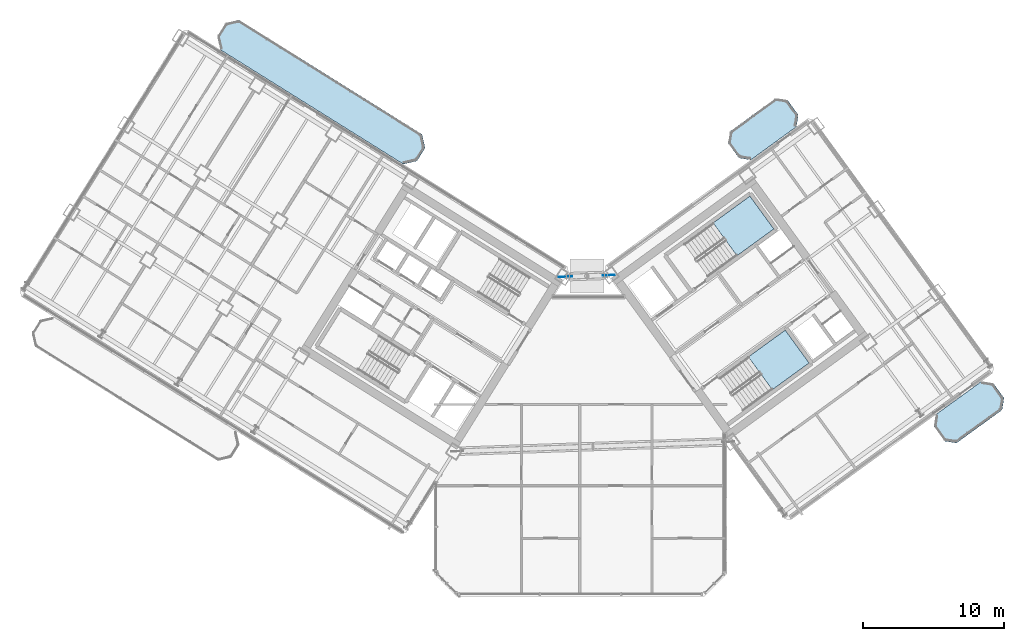
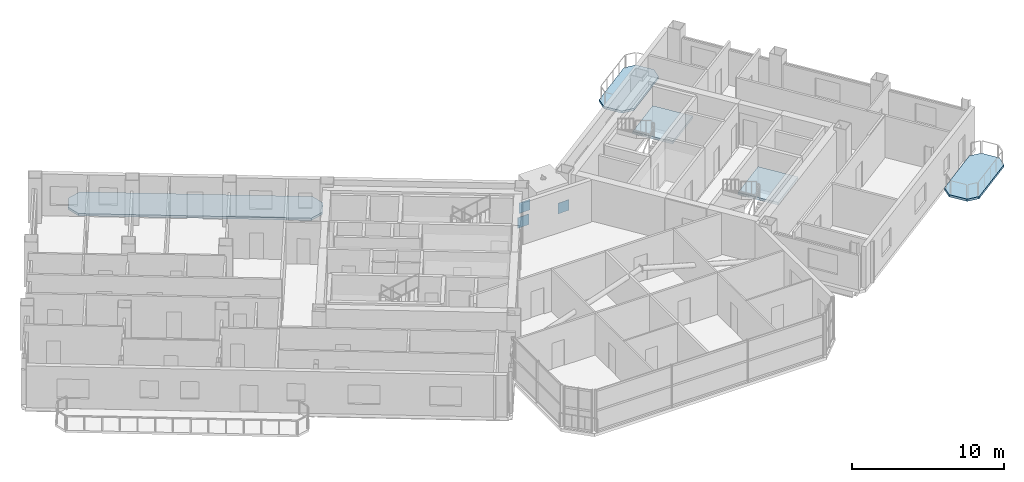
# One storey, part 14 of 29: 5 slabs, 3 plates, 2 elements without a shape of their own.
"""IFC4 building model written with IfcOpenShell, lengths in metres."""

from ifc_helpers import new_model, si_unit, direction, frame, origin, origin_2d, place, context, subcontext, project, spatial, polyline, rectangle, outline, extrude, source, transform, mapped, material, layer, layer_set, type_object, element, aggregate, save


model = new_model("IFC4")

# Units and contexts
model_context = context("Model", 3, precision=1e-05, world=origin(), true_north=direction((0.0, 1.0)))
body_context = subcontext(model_context, "Body", "Model", "MODEL_VIEW")
ifc_project = project(units=[si_unit("LENGTHUNIT", "METRE"), si_unit("AREAUNIT", "SQUARE_METRE"), si_unit("VOLUMEUNIT", "CUBIC_METRE"), si_unit("PLANEANGLEUNIT", "RADIAN"), si_unit("MASSUNIT", "GRAM", prefix="KILO")], contexts=[model_context])

# Site, building, storey
site_placement = place(None, origin())
site = spatial("IfcSite", under=ifc_project, at=site_placement, CompositionType="ELEMENT")
building_placement = place(site_placement, origin())
building = spatial("IfcBuilding", under=site, at=building_placement, Name="Tlacorven Tower", CompositionType="ELEMENT")
storey_placement = place(building_placement, frame((0.0, 0.0, 151.5)))
storey = spatial("IfcBuildingStorey", under=building, at=storey_placement, Name="L38", CompositionType="ELEMENT", Elevation=151.5)

# Slabs
ifc_material_1 = material(Name="Precast concrete C45/55", Category="concrete")
ifc_layer_1 = layer(ifc_material_1, 0.179931640625)
ifc_layer_set_1 = layer_set([ifc_layer_1], Name="Precast concrete C45/55")
slab_type_1 = type_object("IfcSlabType", Name="SL-BAL-180", PredefinedType="USERDEFINED", material=ifc_layer_set_1)
slab_1_placement = place(storey_placement, frame((0.0, 0.0, -0.179931640625)))
element("IfcSlab", 1, at=slab_1_placement, inside=storey, type_object=slab_type_1, Name="L38 West Wing Balcony Ribbon IN", ObjectType="BALCONY SLAB", PredefinedType="USERDEFINED", context=body_context, shape_type="SweptSolid", body=[
    extrude(outline(polyline([(30.756591796875, 34.57763671875), (17.781494140625, 42.685546875), (16.81689453125, 42.462890625), (16.236572265625, 41.5341796875), (16.459228515625, 40.569580078125), (29.434326171875, 32.4619140625), (30.39892578125, 32.6845703125), (30.979248046875, 33.613037109375), (30.756591796875, 34.57763671875)])), origin(), (0.0, 0.0, 1.0), 0.179931640625),
])
slab_2_placement = place(storey_placement, frame((0.0, 0.0, -0.179931640625)))
element("IfcSlab", 2, at=slab_2_placement, inside=storey, type_object=slab_type_1, Name="L38 East Wing Balcony Ribbon OUT", ObjectType="BALCONY SLAB", PredefinedType="USERDEFINED", context=body_context, shape_type="SweptSolid", body=[
    extrude(outline(polyline([(68.669921875, 12.678955078125), (71.906005859375, 15.0302734375), (72.03857421875, 15.8681640625), (71.27734375, 16.916015625), (70.439453125, 17.048583984375), (67.203369140625, 14.697509765625), (67.070556640625, 13.859375), (67.831787109375, 12.811767578125), (68.669921875, 12.678955078125)])), origin(), (0.0, 0.0, 1.0), 0.179931640625),
])
slab_3_placement = place(storey_placement, frame((0.0, 0.0, -0.179931640625)))
element("IfcSlab", 3, at=slab_3_placement, inside=storey, type_object=slab_type_1, Name="L38 East Wing Balcony Ribbon IN", ObjectType="BALCONY SLAB", PredefinedType="USERDEFINED", context=body_context, shape_type="SweptSolid", body=[
    extrude(outline(polyline([(54.078125, 32.762939453125), (57.314208984375, 35.114013671875), (57.44677734375, 35.9521484375), (56.685791015625, 36.999755859375), (55.84765625, 37.132568359375), (52.611572265625, 34.78125), (52.478759765625, 33.943359375), (53.239990234375, 32.8955078125), (54.078125, 32.762939453125)])), origin(), (0.0, 0.0, 1.0), 0.179931640625),
])

# Stair, slab
ifc_material_2 = material(Name="Concrete C40/50", Category="concrete")
stair_type = type_object("IfcStairType", Name="ST-CORE-DLG", PredefinedType="HALF_TURN_STAIR", material=ifc_material_2)
stair_1_placement = place(storey_placement, origin())
stair_1 = element("IfcStair", 4, at=stair_1_placement, inside=storey, type_object=stair_type, Name="L38 Protected Exit Stair East 1", PredefinedType="HALF_TURN_STAIR")
ifc_layer_2 = layer(ifc_material_2, 0.199951171875)
ifc_layer_set_2 = layer_set([ifc_layer_2], Name="Concrete C40/50")
slab_type_2 = type_object("IfcSlabType", Name="SL-LND-200", PredefinedType="LANDING", material=ifc_layer_set_2)
slab_4_placement = place(storey_placement, frame((0.0, 0.0, 1.60009765625)))
slab_4 = element("IfcSlab", 5, at=slab_4_placement, type_object=slab_type_2, Name="ST-E1 landing 1", PredefinedType="LANDING", context=body_context, shape_type="SweptSolid", body=[
    extrude(outline(polyline([(53.09765625, 25.962890625), (55.7109375, 27.861572265625), (54.01806640625, 30.19140625), (51.40478515625, 28.29296875), (53.09765625, 25.962890625)])), origin(), (0.0, 0.0, 1.0), 0.199951171875),
])
aggregate(stair_1, [slab_4])

stair_2_placement = place(storey_placement, origin())
stair_2 = element("IfcStair", 6, at=stair_2_placement, inside=storey, type_object=stair_type, Name="L38 Protected Exit Stair East 2", PredefinedType="HALF_TURN_STAIR")
slab_5_placement = place(storey_placement, frame((0.0, 0.0, 1.60009765625)))
slab_5 = element("IfcSlab", 7, at=slab_5_placement, type_object=slab_type_2, Name="ST-E2 landing 1", PredefinedType="LANDING", context=body_context, shape_type="SweptSolid", body=[
    extrude(outline(polyline([(55.601806640625, 16.4599609375), (58.21484375, 18.3583984375), (56.52197265625, 20.6884765625), (53.908935546875, 18.789794921875), (55.601806640625, 16.4599609375)])), origin(), (0.0, 0.0, 1.0), 0.199951171875),
])
aggregate(stair_2, [slab_5])

# Plates
ifc_material_3 = material(Name="Steel S355J2", Category="steel")
ifc_layer_3 = layer(ifc_material_3, 0.02587890625)
ifc_layer_set_3 = layer_set([ifc_layer_3], Name="Steel S355J2")
plate_type_1 = type_object("IfcPlateType", Name="PL-NODE-TN1", PredefinedType="SHEET", material=ifc_layer_set_3)
shared_shape_1 = source(origin(), body_context, "Body", "SweptSolid", [
    extrude(rectangle(XDim=0.85009765625, YDim=0.02587890625, at=origin_2d()), origin(), (0.0, 0.0, 1.0), 0.85009765625),
])
plate_placement = place(storey_placement, frame((40.997802734375, 24.475830078125, 1.324951171875), z_axis=(0.0, 0.0, 1.0), x_axis=(0.999390832067, 0.034899352155, 0.0)))
element("IfcPlate", 8, at=plate_placement, inside=storey, type_object=plate_type_1, Name="L38 structural node gusset plate TRB-L38-RING", PredefinedType="SHEET", context=body_context, shape_type="MappedRepresentation", body=[
    mapped(shared_shape_1, transform((0.0, 0.0, 0.0), scale=1.0)),
])
ifc_material_4 = material(Name="Steel S460M", Category="steel")
ifc_layer_4 = layer(ifc_material_4, 0.030029296875)
ifc_layer_set_4 = layer_set([ifc_layer_4], Name="Steel S460M")
plate_type_2 = type_object("IfcPlateType", Name="PL-NODE-PN1", PredefinedType="SHEET", material=ifc_layer_set_4)
shared_shape_2 = source(origin(), body_context, "Body", "SweptSolid", [
    extrude(rectangle(XDim=0.85009765625, YDim=0.030029296875, at=origin_2d()), origin(), (0.0, 0.0, 1.0), 0.85009765625),
])
for number, where, z_axis, x_axis, name in (
    (9, (40.89501953125, 24.472412109375, 0.1787109375), (0.0, 0.0, 1.0), (0.999390864286, 0.034898429508, 0.0), "L38 structural node gusset plate PRT-L38-W1"),
    (10, (44.01171875, 24.5810546875, 0.1787109375), (0.0, 0.0, 1.0), (-0.999390769791, -0.034901135475, 0.0), "L38 structural node gusset plate PRT-L38-E1"),
):
    element("IfcPlate", number, at=place(storey_placement, frame(where, z_axis=z_axis, x_axis=x_axis)), inside=storey, type_object=plate_type_2, Name=name, PredefinedType="SHEET", context=body_context, shape_type="MappedRepresentation", body=[
        mapped(shared_shape_2, transform((0.0, 0.0, 0.0), scale=1.0)),
    ])

save(model, "model.ifc")
